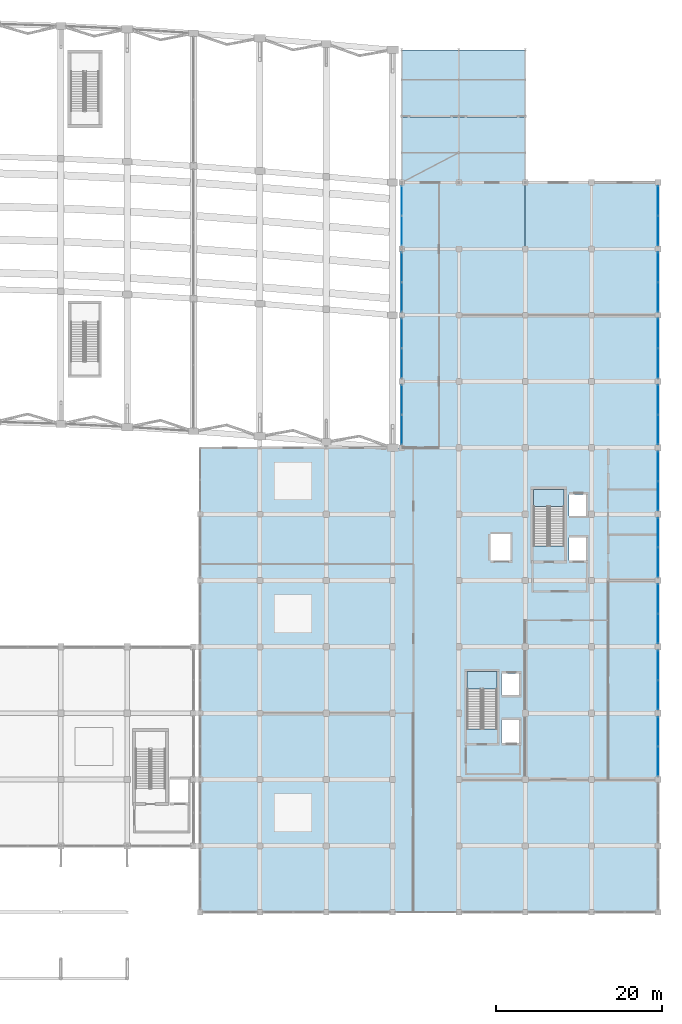
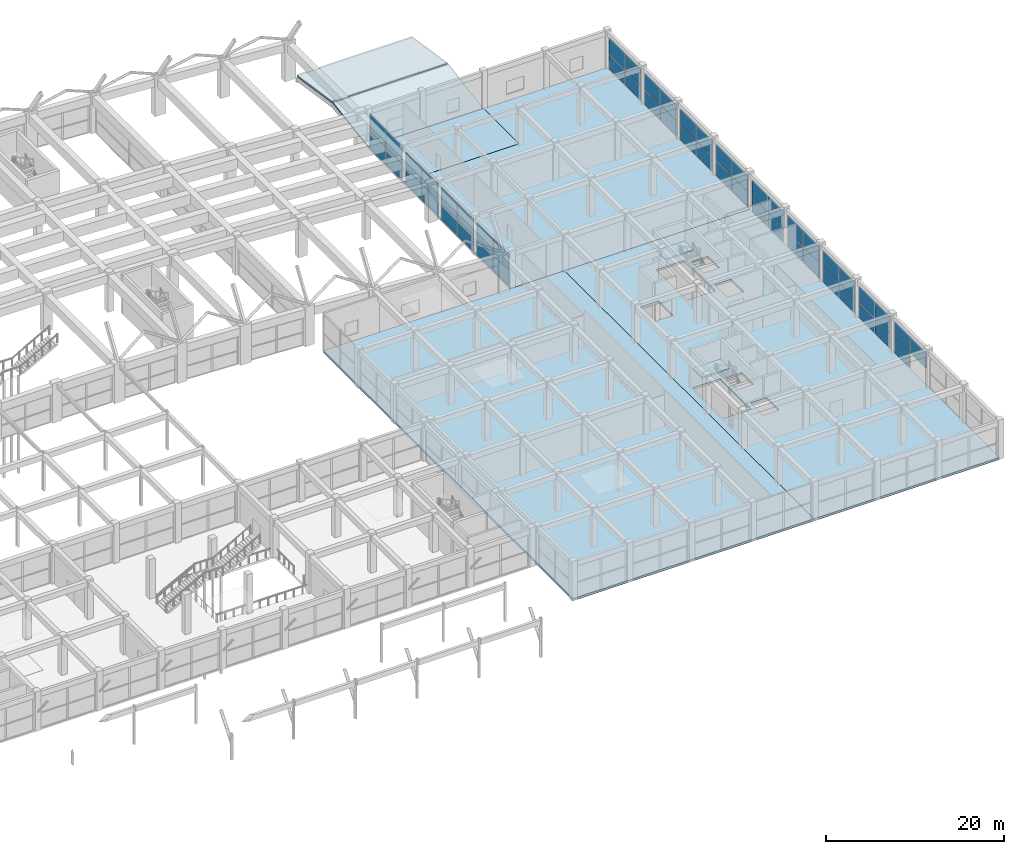
# One storey, part 46 of 69: 51 plates, 8 slabs, 15 elements without a shape of their own.
"""IFC4 building model written with IfcOpenShell, lengths in metres."""

from ifc_helpers import new_model, si_unit, direction, frame, origin, origin_2d, place, context, subcontext, project, spatial, polyline, rectangle, outline, extrude, material, layer, layer_set, type_object, element, aggregate, save


model = new_model("IFC4")

# Units and contexts
model_context = context("Model", 3, precision=1e-05, world=origin(), true_north=direction((0.0, 1.0)))
body_context = subcontext(model_context, "Body", "Model", "MODEL_VIEW")
ifc_project = project(units=[si_unit("LENGTHUNIT", "METRE"), si_unit("AREAUNIT", "SQUARE_METRE"), si_unit("VOLUMEUNIT", "CUBIC_METRE"), si_unit("PLANEANGLEUNIT", "RADIAN"), si_unit("MASSUNIT", "GRAM", prefix="KILO")], contexts=[model_context])

# Site, building, storey
site_placement = place(None, origin())
site = spatial("IfcSite", under=ifc_project, at=site_placement, CompositionType="ELEMENT")
building_placement = place(site_placement, origin())
building = spatial("IfcBuilding", under=site, at=building_placement, Name="Kenh Van Central Station", CompositionType="ELEMENT")
storey_placement = place(building_placement, frame((0.0, 0.0, 5.39990234375)))
storey = spatial("IfcBuildingStorey", under=building, at=storey_placement, Name="L01", CompositionType="ELEMENT", Elevation=5.39990234375)

# Curtain wall, plates
ifc_material_1 = material(Name="Champagne anodised aluminium", Category="aluminium")
curtain_wall_type_1 = type_object("IfcCurtainWallType", Name="CW-OPER-B", PredefinedType="NOTDEFINED", material=ifc_material_1)
curtain_wall_1_placement = place(storey_placement, origin())
curtain_wall_1 = element("IfcCurtainWall", 1, at=curtain_wall_1_placement, inside=storey, type_object=curtain_wall_type_1, Name="L01 curtain wall 148", PredefinedType="NOTDEFINED")
ifc_material_2 = material(Name="Double-glazed low-E laminated solar glass", Category="glass")
ifc_layer_1 = layer(ifc_material_2, 0.030029296875, Name="Double-glazed low-E laminated solar glass")
ifc_layer_set_1 = layer_set([ifc_layer_1], Name="Double-glazed low-E laminated solar glass")
plate_type_1 = type_object("IfcPlateType", Name="CWP-IGU-30", PredefinedType="CURTAIN_PANEL", material=ifc_layer_set_1)
plate_1_placement = place(storey_placement, frame((145.10009765625, 93.802978515625, 0.072021484375), z_axis=(0.0, 0.0, 1.0), x_axis=(0.0, -1.0, 0.0)))
plate_1 = element("IfcPlate", 2, at=plate_1_placement, type_object=plate_type_1, Name="CW-08 panel 1.1", PredefinedType="CURTAIN_PANEL", context=body_context, shape_type="SweptSolid", body=[
    extrude(rectangle(XDim=3.51806640625, YDim=0.030029296875, at=origin_2d()), origin(), (0.0, 0.0, 1.0), 2.1748046875),
])
plate_2_placement = place(storey_placement, frame((145.10009765625, 93.802978515625, 2.31884765625), z_axis=(0.0, 0.0, 1.0), x_axis=(0.0, -1.0, 0.0)))
plate_2 = element("IfcPlate", 3, at=plate_2_placement, type_object=plate_type_1, Name="CW-08 panel 1.2", PredefinedType="CURTAIN_PANEL", context=body_context, shape_type="SweptSolid", body=[
    extrude(rectangle(XDim=3.51806640625, YDim=0.030029296875, at=origin_2d()), origin(), (0.0, 0.0, 1.0), 2.364990234375),
])
plate_3_placement = place(storey_placement, frame((145.10009765625, 90.197021484375, 0.072021484375), z_axis=(0.0, 0.0, 1.0), x_axis=(0.0, -1.0, 0.0)))
plate_3 = element("IfcPlate", 4, at=plate_3_placement, type_object=plate_type_1, Name="CW-08 panel 2.1", PredefinedType="CURTAIN_PANEL", context=body_context, shape_type="SweptSolid", body=[
    extrude(rectangle(XDim=3.51806640625, YDim=0.030029296875, at=origin_2d()), origin(), (0.0, 0.0, 1.0), 2.1748046875),
])
plate_4_placement = place(storey_placement, frame((145.10009765625, 90.197021484375, 2.31884765625), z_axis=(0.0, 0.0, 1.0), x_axis=(0.0, -1.0, 0.0)))
plate_4 = element("IfcPlate", 5, at=plate_4_placement, type_object=plate_type_1, Name="CW-08 panel 2.2", PredefinedType="CURTAIN_PANEL", context=body_context, shape_type="SweptSolid", body=[
    extrude(rectangle(XDim=3.51806640625, YDim=0.030029296875, at=origin_2d()), origin(), (0.0, 0.0, 1.0), 2.364990234375),
])
aggregate(curtain_wall_1, [plate_1, plate_2, plate_3, plate_4])

curtain_wall_2_placement = place(storey_placement, origin())
curtain_wall_2 = element("IfcCurtainWall", 6, at=curtain_wall_2_placement, inside=storey, type_object=curtain_wall_type_1, Name="L01 curtain wall 149", PredefinedType="NOTDEFINED")
plate_5_placement = place(storey_placement, frame((145.10009765625, 85.802978515625, 0.072021484375), z_axis=(0.0, 0.0, 1.0), x_axis=(0.0, -1.0, 0.0)))
plate_5 = element("IfcPlate", 7, at=plate_5_placement, type_object=plate_type_1, Name="CW-08 panel 1.1", PredefinedType="CURTAIN_PANEL", context=body_context, shape_type="SweptSolid", body=[
    extrude(rectangle(XDim=3.51806640625, YDim=0.030029296875, at=origin_2d()), origin(), (0.0, 0.0, 1.0), 2.04248046875),
])
plate_6_placement = place(storey_placement, frame((145.10009765625, 85.802978515625, 2.1865234375), z_axis=(0.0, 0.0, 1.0), x_axis=(0.0, -1.0, 0.0)))
plate_6 = element("IfcPlate", 8, at=plate_6_placement, type_object=plate_type_1, Name="CW-08 panel 1.2", PredefinedType="CURTAIN_PANEL", context=body_context, shape_type="SweptSolid", body=[
    extrude(rectangle(XDim=3.51806640625, YDim=0.030029296875, at=origin_2d()), origin(), (0.0, 0.0, 1.0), 2.2216796875),
])
plate_7_placement = place(storey_placement, frame((145.10009765625, 82.197021484375, 0.072021484375), z_axis=(0.0, 0.0, 1.0), x_axis=(0.0, -1.0, 0.0)))
plate_7 = element("IfcPlate", 9, at=plate_7_placement, type_object=plate_type_1, Name="CW-08 panel 2.1", PredefinedType="CURTAIN_PANEL", context=body_context, shape_type="SweptSolid", body=[
    extrude(rectangle(XDim=3.51806640625, YDim=0.030029296875, at=origin_2d()), origin(), (0.0, 0.0, 1.0), 2.04248046875),
])
plate_8_placement = place(storey_placement, frame((145.10009765625, 82.197021484375, 2.1865234375), z_axis=(0.0, 0.0, 1.0), x_axis=(0.0, -1.0, 0.0)))
plate_8 = element("IfcPlate", 10, at=plate_8_placement, type_object=plate_type_1, Name="CW-08 panel 2.2", PredefinedType="CURTAIN_PANEL", context=body_context, shape_type="SweptSolid", body=[
    extrude(rectangle(XDim=3.51806640625, YDim=0.030029296875, at=origin_2d()), origin(), (0.0, 0.0, 1.0), 2.2216796875),
])
aggregate(curtain_wall_2, [plate_5, plate_6, plate_7, plate_8])

curtain_wall_3_placement = place(storey_placement, origin())
curtain_wall_3 = element("IfcCurtainWall", 11, at=curtain_wall_3_placement, inside=storey, type_object=curtain_wall_type_1, Name="L01 curtain wall 150", PredefinedType="NOTDEFINED")
plate_9_placement = place(storey_placement, frame((145.10009765625, 77.802978515625, 0.072021484375), z_axis=(0.0, 0.0, 1.0), x_axis=(0.0, -1.0, 0.0)))
plate_9 = element("IfcPlate", 12, at=plate_9_placement, type_object=plate_type_1, Name="CW-08 panel 1.1", PredefinedType="CURTAIN_PANEL", context=body_context, shape_type="SweptSolid", body=[
    extrude(rectangle(XDim=3.51806640625, YDim=0.030029296875, at=origin_2d()), origin(), (0.0, 0.0, 1.0), 2.04248046875),
])
plate_10_placement = place(storey_placement, frame((145.10009765625, 77.802978515625, 2.1865234375), z_axis=(0.0, 0.0, 1.0), x_axis=(0.0, -1.0, 0.0)))
plate_10 = element("IfcPlate", 13, at=plate_10_placement, type_object=plate_type_1, Name="CW-08 panel 1.2", PredefinedType="CURTAIN_PANEL", context=body_context, shape_type="SweptSolid", body=[
    extrude(rectangle(XDim=3.51806640625, YDim=0.030029296875, at=origin_2d()), origin(), (0.0, 0.0, 1.0), 2.2216796875),
])
plate_11_placement = place(storey_placement, frame((145.10009765625, 74.197021484375, 0.072021484375), z_axis=(0.0, 0.0, 1.0), x_axis=(0.0, -1.0, 0.0)))
plate_11 = element("IfcPlate", 14, at=plate_11_placement, type_object=plate_type_1, Name="CW-08 panel 2.1", PredefinedType="CURTAIN_PANEL", context=body_context, shape_type="SweptSolid", body=[
    extrude(rectangle(XDim=3.51806640625, YDim=0.030029296875, at=origin_2d()), origin(), (0.0, 0.0, 1.0), 2.04248046875),
])
plate_12_placement = place(storey_placement, frame((145.10009765625, 74.197021484375, 2.1865234375), z_axis=(0.0, 0.0, 1.0), x_axis=(0.0, -1.0, 0.0)))
plate_12 = element("IfcPlate", 15, at=plate_12_placement, type_object=plate_type_1, Name="CW-08 panel 2.2", PredefinedType="CURTAIN_PANEL", context=body_context, shape_type="SweptSolid", body=[
    extrude(rectangle(XDim=3.51806640625, YDim=0.030029296875, at=origin_2d()), origin(), (0.0, 0.0, 1.0), 2.2216796875),
])
aggregate(curtain_wall_3, [plate_9, plate_10, plate_11, plate_12])

curtain_wall_4_placement = place(storey_placement, origin())
curtain_wall_4 = element("IfcCurtainWall", 16, at=curtain_wall_4_placement, inside=storey, type_object=curtain_wall_type_1, Name="L01 curtain wall 151", PredefinedType="NOTDEFINED")
plate_13_placement = place(storey_placement, frame((145.10009765625, 69.802978515625, 0.072021484375), z_axis=(0.0, 0.0, 1.0), x_axis=(0.0, -1.0, 0.0)))
plate_13 = element("IfcPlate", 17, at=plate_13_placement, type_object=plate_type_1, Name="CW-08 panel 1.1", PredefinedType="CURTAIN_PANEL", context=body_context, shape_type="SweptSolid", body=[
    extrude(rectangle(XDim=3.51806640625, YDim=0.030029296875, at=origin_2d()), origin(), (0.0, 0.0, 1.0), 2.04248046875),
])
plate_14_placement = place(storey_placement, frame((145.10009765625, 69.802978515625, 2.1865234375), z_axis=(0.0, 0.0, 1.0), x_axis=(0.0, -1.0, 0.0)))
plate_14 = element("IfcPlate", 18, at=plate_14_placement, type_object=plate_type_1, Name="CW-08 panel 1.2", PredefinedType="CURTAIN_PANEL", context=body_context, shape_type="SweptSolid", body=[
    extrude(rectangle(XDim=3.51806640625, YDim=0.030029296875, at=origin_2d()), origin(), (0.0, 0.0, 1.0), 2.2216796875),
])
plate_15_placement = place(storey_placement, frame((145.10009765625, 66.197021484375, 0.072021484375), z_axis=(0.0, 0.0, 1.0), x_axis=(0.0, -1.0, 0.0)))
plate_15 = element("IfcPlate", 19, at=plate_15_placement, type_object=plate_type_1, Name="CW-08 panel 2.1", PredefinedType="CURTAIN_PANEL", context=body_context, shape_type="SweptSolid", body=[
    extrude(rectangle(XDim=3.51806640625, YDim=0.030029296875, at=origin_2d()), origin(), (0.0, 0.0, 1.0), 2.04248046875),
])
plate_16_placement = place(storey_placement, frame((145.10009765625, 66.197021484375, 2.1865234375), z_axis=(0.0, 0.0, 1.0), x_axis=(0.0, -1.0, 0.0)))
plate_16 = element("IfcPlate", 20, at=plate_16_placement, type_object=plate_type_1, Name="CW-08 panel 2.2", PredefinedType="CURTAIN_PANEL", context=body_context, shape_type="SweptSolid", body=[
    extrude(rectangle(XDim=3.51806640625, YDim=0.030029296875, at=origin_2d()), origin(), (0.0, 0.0, 1.0), 2.2216796875),
])
aggregate(curtain_wall_4, [plate_13, plate_14, plate_15, plate_16])

curtain_wall_type_2 = type_object("IfcCurtainWallType", Name="CW-OPER-A", PredefinedType="NOTDEFINED", material=ifc_material_1)
curtain_wall_5_placement = place(storey_placement, origin())
curtain_wall_5 = element("IfcCurtainWall", 21, at=curtain_wall_5_placement, inside=storey, type_object=curtain_wall_type_2, Name="L01 curtain wall 139", PredefinedType="NOTDEFINED")
ifc_layer_2 = layer(ifc_material_2, 0.0380859375, Name="Double-glazed low-E laminated solar glass")
ifc_layer_set_2 = layer_set([ifc_layer_2], Name="Double-glazed low-E laminated solar glass")
plate_type_2 = type_object("IfcPlateType", Name="CWP-IGU-38", PredefinedType="CURTAIN_PANEL", material=ifc_layer_set_2)
plate_17_placement = place(storey_placement, frame((176.0, 26.20947265625, 2.167236328125), z_axis=(0.0, 0.0, 1.0), x_axis=(0.0, 1.0, 0.0)))
plate_17 = element("IfcPlate", 22, at=plate_17_placement, type_object=plate_type_2, Name="CW-07 panel 1.2", PredefinedType="CURTAIN_PANEL", context=body_context, shape_type="SweptSolid", body=[
    extrude(rectangle(XDim=3.492919921875, YDim=0.0380859375, at=origin_2d()), origin(), (0.0, 0.0, 1.0), 2.20068359375),
])
plate_18_placement = place(storey_placement, frame((176.0, 29.79052734375, 0.072265625), z_axis=(0.0, 0.0, 1.0), x_axis=(0.0, 1.0, 0.0)))
plate_18 = element("IfcPlate", 23, at=plate_18_placement, type_object=plate_type_2, Name="CW-07 panel 2.1", PredefinedType="CURTAIN_PANEL", context=body_context, shape_type="SweptSolid", body=[
    extrude(rectangle(XDim=3.492919921875, YDim=0.0380859375, at=origin_2d()), origin(), (0.0, 0.0, 1.0), 2.023193359375),
])
plate_19_placement = place(storey_placement, frame((176.0, 29.79052734375, 2.167236328125), z_axis=(0.0, 0.0, 1.0), x_axis=(0.0, 1.0, 0.0)))
plate_19 = element("IfcPlate", 24, at=plate_19_placement, type_object=plate_type_2, Name="CW-07 panel 2.2", PredefinedType="CURTAIN_PANEL", context=body_context, shape_type="SweptSolid", body=[
    extrude(rectangle(XDim=3.492919921875, YDim=0.0380859375, at=origin_2d()), origin(), (0.0, 0.0, 1.0), 2.20068359375),
])
aggregate(curtain_wall_5, [plate_17, plate_18, plate_19])

curtain_wall_6_placement = place(storey_placement, origin())
curtain_wall_6 = element("IfcCurtainWall", 25, at=curtain_wall_6_placement, inside=storey, type_object=curtain_wall_type_2, Name="L01 curtain wall 140", PredefinedType="NOTDEFINED")
plate_20_placement = place(storey_placement, frame((176.0, 34.20947265625, 0.072265625), z_axis=(0.0, 0.0, 1.0), x_axis=(0.0, 1.0, 0.0)))
plate_20 = element("IfcPlate", 26, at=plate_20_placement, type_object=plate_type_2, Name="CW-07 panel 1.1", PredefinedType="CURTAIN_PANEL", context=body_context, shape_type="SweptSolid", body=[
    extrude(rectangle(XDim=3.492919921875, YDim=0.0380859375, at=origin_2d()), origin(), (0.0, 0.0, 1.0), 2.023193359375),
])
plate_21_placement = place(storey_placement, frame((176.0, 34.20947265625, 2.167236328125), z_axis=(0.0, 0.0, 1.0), x_axis=(0.0, 1.0, 0.0)))
plate_21 = element("IfcPlate", 27, at=plate_21_placement, type_object=plate_type_2, Name="CW-07 panel 1.2", PredefinedType="CURTAIN_PANEL", context=body_context, shape_type="SweptSolid", body=[
    extrude(rectangle(XDim=3.492919921875, YDim=0.0380859375, at=origin_2d()), origin(), (0.0, 0.0, 1.0), 2.20068359375),
])
plate_22_placement = place(storey_placement, frame((176.0, 37.79052734375, 0.072265625), z_axis=(0.0, 0.0, 1.0), x_axis=(0.0, 1.0, 0.0)))
plate_22 = element("IfcPlate", 28, at=plate_22_placement, type_object=plate_type_2, Name="CW-07 panel 2.1", PredefinedType="CURTAIN_PANEL", context=body_context, shape_type="SweptSolid", body=[
    extrude(rectangle(XDim=3.492919921875, YDim=0.0380859375, at=origin_2d()), origin(), (0.0, 0.0, 1.0), 2.023193359375),
])
plate_23_placement = place(storey_placement, frame((176.0, 37.79052734375, 2.167236328125), z_axis=(0.0, 0.0, 1.0), x_axis=(0.0, 1.0, 0.0)))
plate_23 = element("IfcPlate", 29, at=plate_23_placement, type_object=plate_type_2, Name="CW-07 panel 2.2", PredefinedType="CURTAIN_PANEL", context=body_context, shape_type="SweptSolid", body=[
    extrude(rectangle(XDim=3.492919921875, YDim=0.0380859375, at=origin_2d()), origin(), (0.0, 0.0, 1.0), 2.20068359375),
])
aggregate(curtain_wall_6, [plate_20, plate_21, plate_22, plate_23])

curtain_wall_7_placement = place(storey_placement, origin())
curtain_wall_7 = element("IfcCurtainWall", 30, at=curtain_wall_7_placement, inside=storey, type_object=curtain_wall_type_2, Name="L01 curtain wall 141", PredefinedType="NOTDEFINED")
plate_24_placement = place(storey_placement, frame((176.0, 42.20947265625, 0.072265625), z_axis=(0.0, 0.0, 1.0), x_axis=(0.0, 1.0, 0.0)))
plate_24 = element("IfcPlate", 31, at=plate_24_placement, type_object=plate_type_2, Name="CW-07 panel 1.1", PredefinedType="CURTAIN_PANEL", context=body_context, shape_type="SweptSolid", body=[
    extrude(rectangle(XDim=3.492919921875, YDim=0.0380859375, at=origin_2d()), origin(), (0.0, 0.0, 1.0), 2.023193359375),
])
plate_25_placement = place(storey_placement, frame((176.0, 42.20947265625, 2.167236328125), z_axis=(0.0, 0.0, 1.0), x_axis=(0.0, 1.0, 0.0)))
plate_25 = element("IfcPlate", 32, at=plate_25_placement, type_object=plate_type_2, Name="CW-07 panel 1.2", PredefinedType="CURTAIN_PANEL", context=body_context, shape_type="SweptSolid", body=[
    extrude(rectangle(XDim=3.492919921875, YDim=0.0380859375, at=origin_2d()), origin(), (0.0, 0.0, 1.0), 2.20068359375),
])
plate_26_placement = place(storey_placement, frame((176.0, 45.79052734375, 0.072265625), z_axis=(0.0, 0.0, 1.0), x_axis=(0.0, 1.0, 0.0)))
plate_26 = element("IfcPlate", 33, at=plate_26_placement, type_object=plate_type_2, Name="CW-07 panel 2.1", PredefinedType="CURTAIN_PANEL", context=body_context, shape_type="SweptSolid", body=[
    extrude(rectangle(XDim=3.492919921875, YDim=0.0380859375, at=origin_2d()), origin(), (0.0, 0.0, 1.0), 2.023193359375),
])
plate_27_placement = place(storey_placement, frame((176.0, 45.79052734375, 2.167236328125), z_axis=(0.0, 0.0, 1.0), x_axis=(0.0, 1.0, 0.0)))
plate_27 = element("IfcPlate", 34, at=plate_27_placement, type_object=plate_type_2, Name="CW-07 panel 2.2", PredefinedType="CURTAIN_PANEL", context=body_context, shape_type="SweptSolid", body=[
    extrude(rectangle(XDim=3.492919921875, YDim=0.0380859375, at=origin_2d()), origin(), (0.0, 0.0, 1.0), 2.20068359375),
])
aggregate(curtain_wall_7, [plate_24, plate_25, plate_26, plate_27])

curtain_wall_8_placement = place(storey_placement, origin())
curtain_wall_8 = element("IfcCurtainWall", 35, at=curtain_wall_8_placement, inside=storey, type_object=curtain_wall_type_2, Name="L01 curtain wall 142", PredefinedType="NOTDEFINED")
plate_28_placement = place(storey_placement, frame((176.0, 50.20947265625, 0.072265625), z_axis=(0.0, 0.0, 1.0), x_axis=(0.0, 1.0, 0.0)))
plate_28 = element("IfcPlate", 36, at=plate_28_placement, type_object=plate_type_2, Name="CW-07 panel 1.1", PredefinedType="CURTAIN_PANEL", context=body_context, shape_type="SweptSolid", body=[
    extrude(rectangle(XDim=3.492919921875, YDim=0.0380859375, at=origin_2d()), origin(), (0.0, 0.0, 1.0), 2.023193359375),
])
plate_29_placement = place(storey_placement, frame((176.0, 50.20947265625, 2.167236328125), z_axis=(0.0, 0.0, 1.0), x_axis=(0.0, 1.0, 0.0)))
plate_29 = element("IfcPlate", 37, at=plate_29_placement, type_object=plate_type_2, Name="CW-07 panel 1.2", PredefinedType="CURTAIN_PANEL", context=body_context, shape_type="SweptSolid", body=[
    extrude(rectangle(XDim=3.492919921875, YDim=0.0380859375, at=origin_2d()), origin(), (0.0, 0.0, 1.0), 2.20068359375),
])
plate_30_placement = place(storey_placement, frame((176.0, 53.79052734375, 0.072265625), z_axis=(0.0, 0.0, 1.0), x_axis=(0.0, 1.0, 0.0)))
plate_30 = element("IfcPlate", 38, at=plate_30_placement, type_object=plate_type_2, Name="CW-07 panel 2.1", PredefinedType="CURTAIN_PANEL", context=body_context, shape_type="SweptSolid", body=[
    extrude(rectangle(XDim=3.492919921875, YDim=0.0380859375, at=origin_2d()), origin(), (0.0, 0.0, 1.0), 2.023193359375),
])
plate_31_placement = place(storey_placement, frame((176.0, 53.79052734375, 2.167236328125), z_axis=(0.0, 0.0, 1.0), x_axis=(0.0, 1.0, 0.0)))
plate_31 = element("IfcPlate", 39, at=plate_31_placement, type_object=plate_type_2, Name="CW-07 panel 2.2", PredefinedType="CURTAIN_PANEL", context=body_context, shape_type="SweptSolid", body=[
    extrude(rectangle(XDim=3.492919921875, YDim=0.0380859375, at=origin_2d()), origin(), (0.0, 0.0, 1.0), 2.20068359375),
])
aggregate(curtain_wall_8, [plate_28, plate_29, plate_30, plate_31])

curtain_wall_9_placement = place(storey_placement, origin())
curtain_wall_9 = element("IfcCurtainWall", 40, at=curtain_wall_9_placement, inside=storey, type_object=curtain_wall_type_2, Name="L01 curtain wall 143", PredefinedType="NOTDEFINED")
plate_32_placement = place(storey_placement, frame((176.0, 58.20947265625, 0.072265625), z_axis=(0.0, 0.0, 1.0), x_axis=(0.0, 1.0, 0.0)))
plate_32 = element("IfcPlate", 41, at=plate_32_placement, type_object=plate_type_2, Name="CW-07 panel 1.1", PredefinedType="CURTAIN_PANEL", context=body_context, shape_type="SweptSolid", body=[
    extrude(rectangle(XDim=3.492919921875, YDim=0.0380859375, at=origin_2d()), origin(), (0.0, 0.0, 1.0), 2.023193359375),
])
plate_33_placement = place(storey_placement, frame((176.0, 58.20947265625, 2.167236328125), z_axis=(0.0, 0.0, 1.0), x_axis=(0.0, 1.0, 0.0)))
plate_33 = element("IfcPlate", 42, at=plate_33_placement, type_object=plate_type_2, Name="CW-07 panel 1.2", PredefinedType="CURTAIN_PANEL", context=body_context, shape_type="SweptSolid", body=[
    extrude(rectangle(XDim=3.492919921875, YDim=0.0380859375, at=origin_2d()), origin(), (0.0, 0.0, 1.0), 2.20068359375),
])
plate_34_placement = place(storey_placement, frame((176.0, 61.79052734375, 0.072265625), z_axis=(0.0, 0.0, 1.0), x_axis=(0.0, 1.0, 0.0)))
plate_34 = element("IfcPlate", 43, at=plate_34_placement, type_object=plate_type_2, Name="CW-07 panel 2.1", PredefinedType="CURTAIN_PANEL", context=body_context, shape_type="SweptSolid", body=[
    extrude(rectangle(XDim=3.492919921875, YDim=0.0380859375, at=origin_2d()), origin(), (0.0, 0.0, 1.0), 2.023193359375),
])
plate_35_placement = place(storey_placement, frame((176.0, 61.79052734375, 2.167236328125), z_axis=(0.0, 0.0, 1.0), x_axis=(0.0, 1.0, 0.0)))
plate_35 = element("IfcPlate", 44, at=plate_35_placement, type_object=plate_type_2, Name="CW-07 panel 2.2", PredefinedType="CURTAIN_PANEL", context=body_context, shape_type="SweptSolid", body=[
    extrude(rectangle(XDim=3.492919921875, YDim=0.0380859375, at=origin_2d()), origin(), (0.0, 0.0, 1.0), 2.20068359375),
])
aggregate(curtain_wall_9, [plate_32, plate_33, plate_34, plate_35])

curtain_wall_10_placement = place(storey_placement, origin())
curtain_wall_10 = element("IfcCurtainWall", 45, at=curtain_wall_10_placement, inside=storey, type_object=curtain_wall_type_2, Name="L01 curtain wall 144", PredefinedType="NOTDEFINED")
plate_36_placement = place(storey_placement, frame((176.0, 66.2158203125, 0.072265625), z_axis=(0.0, 0.0, 1.0), x_axis=(0.0, 1.0, 0.0)))
plate_36 = element("IfcPlate", 46, at=plate_36_placement, type_object=plate_type_2, Name="CW-07 panel 1.1", PredefinedType="CURTAIN_PANEL", context=body_context, shape_type="SweptSolid", body=[
    extrude(rectangle(XDim=3.505615234375, YDim=0.0380859375, at=origin_2d()), origin(), (0.0, 0.0, 1.0), 2.023193359375),
])
plate_37_placement = place(storey_placement, frame((176.0, 66.2158203125, 2.167236328125), z_axis=(0.0, 0.0, 1.0), x_axis=(0.0, 1.0, 0.0)))
plate_37 = element("IfcPlate", 47, at=plate_37_placement, type_object=plate_type_2, Name="CW-07 panel 1.2", PredefinedType="CURTAIN_PANEL", context=body_context, shape_type="SweptSolid", body=[
    extrude(rectangle(XDim=3.505615234375, YDim=0.0380859375, at=origin_2d()), origin(), (0.0, 0.0, 1.0), 2.20068359375),
])
plate_38_placement = place(storey_placement, frame((176.0, 69.809326171875, 0.072265625), z_axis=(0.0, 0.0, 1.0), x_axis=(0.0, 1.0, 0.0)))
plate_38 = element("IfcPlate", 48, at=plate_38_placement, type_object=plate_type_2, Name="CW-07 panel 2.1", PredefinedType="CURTAIN_PANEL", context=body_context, shape_type="SweptSolid", body=[
    extrude(rectangle(XDim=3.505615234375, YDim=0.0380859375, at=origin_2d()), origin(), (0.0, 0.0, 1.0), 2.023193359375),
])
plate_39_placement = place(storey_placement, frame((176.0, 69.809326171875, 2.167236328125), z_axis=(0.0, 0.0, 1.0), x_axis=(0.0, 1.0, 0.0)))
plate_39 = element("IfcPlate", 49, at=plate_39_placement, type_object=plate_type_2, Name="CW-07 panel 2.2", PredefinedType="CURTAIN_PANEL", context=body_context, shape_type="SweptSolid", body=[
    extrude(rectangle(XDim=3.505615234375, YDim=0.0380859375, at=origin_2d()), origin(), (0.0, 0.0, 1.0), 2.20068359375),
])
aggregate(curtain_wall_10, [plate_36, plate_37, plate_38, plate_39])

curtain_wall_11_placement = place(storey_placement, origin())
curtain_wall_11 = element("IfcCurtainWall", 50, at=curtain_wall_11_placement, inside=storey, type_object=curtain_wall_type_2, Name="L01 curtain wall 145", PredefinedType="NOTDEFINED")
plate_40_placement = place(storey_placement, frame((176.0, 74.197021484375, 0.072265625), z_axis=(0.0, 0.0, 1.0), x_axis=(0.0, 1.0, 0.0)))
plate_40 = element("IfcPlate", 51, at=plate_40_placement, type_object=plate_type_2, Name="CW-07 panel 1.1", PredefinedType="CURTAIN_PANEL", context=body_context, shape_type="SweptSolid", body=[
    extrude(rectangle(XDim=3.51806640625, YDim=0.0380859375, at=origin_2d()), origin(), (0.0, 0.0, 1.0), 2.023193359375),
])
plate_41_placement = place(storey_placement, frame((176.0, 74.197021484375, 2.167236328125), z_axis=(0.0, 0.0, 1.0), x_axis=(0.0, 1.0, 0.0)))
plate_41 = element("IfcPlate", 52, at=plate_41_placement, type_object=plate_type_2, Name="CW-07 panel 1.2", PredefinedType="CURTAIN_PANEL", context=body_context, shape_type="SweptSolid", body=[
    extrude(rectangle(XDim=3.51806640625, YDim=0.0380859375, at=origin_2d()), origin(), (0.0, 0.0, 1.0), 2.20068359375),
])
plate_42_placement = place(storey_placement, frame((176.0, 77.802978515625, 0.072265625), z_axis=(0.0, 0.0, 1.0), x_axis=(0.0, 1.0, 0.0)))
plate_42 = element("IfcPlate", 53, at=plate_42_placement, type_object=plate_type_2, Name="CW-07 panel 2.1", PredefinedType="CURTAIN_PANEL", context=body_context, shape_type="SweptSolid", body=[
    extrude(rectangle(XDim=3.51806640625, YDim=0.0380859375, at=origin_2d()), origin(), (0.0, 0.0, 1.0), 2.023193359375),
])
plate_43_placement = place(storey_placement, frame((176.0, 77.802978515625, 2.167236328125), z_axis=(0.0, 0.0, 1.0), x_axis=(0.0, 1.0, 0.0)))
plate_43 = element("IfcPlate", 54, at=plate_43_placement, type_object=plate_type_2, Name="CW-07 panel 2.2", PredefinedType="CURTAIN_PANEL", context=body_context, shape_type="SweptSolid", body=[
    extrude(rectangle(XDim=3.51806640625, YDim=0.0380859375, at=origin_2d()), origin(), (0.0, 0.0, 1.0), 2.20068359375),
])
aggregate(curtain_wall_11, [plate_40, plate_41, plate_42, plate_43])

curtain_wall_12_placement = place(storey_placement, origin())
curtain_wall_12 = element("IfcCurtainWall", 55, at=curtain_wall_12_placement, inside=storey, type_object=curtain_wall_type_2, Name="L01 curtain wall 146", PredefinedType="NOTDEFINED")
plate_44_placement = place(storey_placement, frame((176.0, 82.197021484375, 0.072265625), z_axis=(0.0, 0.0, 1.0), x_axis=(0.0, 1.0, 0.0)))
plate_44 = element("IfcPlate", 56, at=plate_44_placement, type_object=plate_type_2, Name="CW-07 panel 1.1", PredefinedType="CURTAIN_PANEL", context=body_context, shape_type="SweptSolid", body=[
    extrude(rectangle(XDim=3.51806640625, YDim=0.0380859375, at=origin_2d()), origin(), (0.0, 0.0, 1.0), 2.023193359375),
])
plate_45_placement = place(storey_placement, frame((176.0, 82.197021484375, 2.167236328125), z_axis=(0.0, 0.0, 1.0), x_axis=(0.0, 1.0, 0.0)))
plate_45 = element("IfcPlate", 57, at=plate_45_placement, type_object=plate_type_2, Name="CW-07 panel 1.2", PredefinedType="CURTAIN_PANEL", context=body_context, shape_type="SweptSolid", body=[
    extrude(rectangle(XDim=3.51806640625, YDim=0.0380859375, at=origin_2d()), origin(), (0.0, 0.0, 1.0), 2.20068359375),
])
plate_46_placement = place(storey_placement, frame((176.0, 85.802978515625, 0.072265625), z_axis=(0.0, 0.0, 1.0), x_axis=(0.0, 1.0, 0.0)))
plate_46 = element("IfcPlate", 58, at=plate_46_placement, type_object=plate_type_2, Name="CW-07 panel 2.1", PredefinedType="CURTAIN_PANEL", context=body_context, shape_type="SweptSolid", body=[
    extrude(rectangle(XDim=3.51806640625, YDim=0.0380859375, at=origin_2d()), origin(), (0.0, 0.0, 1.0), 2.023193359375),
])
plate_47_placement = place(storey_placement, frame((176.0, 85.802978515625, 2.167236328125), z_axis=(0.0, 0.0, 1.0), x_axis=(0.0, 1.0, 0.0)))
plate_47 = element("IfcPlate", 59, at=plate_47_placement, type_object=plate_type_2, Name="CW-07 panel 2.2", PredefinedType="CURTAIN_PANEL", context=body_context, shape_type="SweptSolid", body=[
    extrude(rectangle(XDim=3.51806640625, YDim=0.0380859375, at=origin_2d()), origin(), (0.0, 0.0, 1.0), 2.20068359375),
])
aggregate(curtain_wall_12, [plate_44, plate_45, plate_46, plate_47])

curtain_wall_13_placement = place(storey_placement, origin())
curtain_wall_13 = element("IfcCurtainWall", 60, at=curtain_wall_13_placement, inside=storey, type_object=curtain_wall_type_2, Name="L01 curtain wall 147", PredefinedType="NOTDEFINED")
plate_48_placement = place(storey_placement, frame((176.0, 90.197021484375, 0.072021484375), z_axis=(0.0, 0.0, 1.0), x_axis=(0.0, 1.0, 0.0)))
plate_48 = element("IfcPlate", 61, at=plate_48_placement, type_object=plate_type_2, Name="CW-07 panel 1.1", PredefinedType="CURTAIN_PANEL", context=body_context, shape_type="SweptSolid", body=[
    extrude(rectangle(XDim=3.51806640625, YDim=0.0380859375, at=origin_2d()), origin(), (0.0, 0.0, 1.0), 2.04248046875),
])
plate_49_placement = place(storey_placement, frame((176.0, 90.197021484375, 2.1865234375), z_axis=(0.0, 0.0, 1.0), x_axis=(0.0, 1.0, 0.0)))
plate_49 = element("IfcPlate", 62, at=plate_49_placement, type_object=plate_type_2, Name="CW-07 panel 1.2", PredefinedType="CURTAIN_PANEL", context=body_context, shape_type="SweptSolid", body=[
    extrude(rectangle(XDim=3.51806640625, YDim=0.0380859375, at=origin_2d()), origin(), (0.0, 0.0, 1.0), 2.2216796875),
])
plate_50_placement = place(storey_placement, frame((176.0, 93.802978515625, 0.072021484375), z_axis=(0.0, 0.0, 1.0), x_axis=(0.0, 1.0, 0.0)))
plate_50 = element("IfcPlate", 63, at=plate_50_placement, type_object=plate_type_2, Name="CW-07 panel 2.1", PredefinedType="CURTAIN_PANEL", context=body_context, shape_type="SweptSolid", body=[
    extrude(rectangle(XDim=3.51806640625, YDim=0.0380859375, at=origin_2d()), origin(), (0.0, 0.0, 1.0), 2.04248046875),
])
plate_51_placement = place(storey_placement, frame((176.0, 93.802978515625, 2.1865234375), z_axis=(0.0, 0.0, 1.0), x_axis=(0.0, 1.0, 0.0)))
plate_51 = element("IfcPlate", 64, at=plate_51_placement, type_object=plate_type_2, Name="CW-07 panel 2.2", PredefinedType="CURTAIN_PANEL", context=body_context, shape_type="SweptSolid", body=[
    extrude(rectangle(XDim=3.51806640625, YDim=0.0380859375, at=origin_2d()), origin(), (0.0, 0.0, 1.0), 2.2216796875),
])
aggregate(curtain_wall_13, [plate_48, plate_49, plate_50, plate_51])

# Slabs
ifc_material_3 = material(Name="Concrete C35/45", Category="concrete")
ifc_layer_3 = layer(ifc_material_3, 0.280029296875, Name="Concrete C35/45")
ifc_layer_set_3 = layer_set([ifc_layer_3], Name="Concrete C35/45")
slab_type_1 = type_object("IfcSlabType", Name="SLB-FLR-280", PredefinedType="FLOOR", material=ifc_layer_set_3)
slab_1_placement = place(storey_placement, frame((0.0, 0.0, -0.27978515625)))
element("IfcSlab", 65, at=slab_1_placement, inside=storey, type_object=slab_type_1, Name="L01 slab SLB-L01-EA", PredefinedType="FLOOR", context=body_context, shape_type="SweptSolid", body=[
    extrude(outline(polyline([(120.800048828125, 8.0), (152.0, 8.0), (152.0, 64.0), (120.800048828125, 64.0), (120.800048828125, 8.0)])), origin(), (0.0, 0.0, 1.0), 0.27978515625),
])
slab_2_placement = place(storey_placement, frame((0.0, 0.0, -0.27978515625)))
element("IfcSlab", 66, at=slab_2_placement, inside=storey, type_object=slab_type_1, Name="L01 slab SLB-L01-EB", PredefinedType="FLOOR", context=body_context, shape_type="SweptSolid", body=[
    extrude(outline(polyline([(152.0, 8.0), (176.0, 8.0), (176.0, 64.0), (152.0, 64.0), (152.0, 8.0)]), holes=[polyline([(167.35009765625, 50.39990234375), (165.25, 50.39990234375), (165.25, 53.199951171875), (167.35009765625, 53.199951171875), (167.35009765625, 50.39990234375)]), polyline([(167.35009765625, 55.800048828125), (165.25, 55.800048828125), (165.25, 58.39990234375), (167.35009765625, 58.39990234375), (167.35009765625, 55.800048828125)]), polyline([(164.699951171875, 52.1650390625), (161.0, 52.1650390625), (161.0, 59.0), (164.699951171875, 59.0), (164.699951171875, 52.1650390625)]), polyline([(159.25, 28.39990234375), (157.14990234375, 28.39990234375), (157.14990234375, 31.199951171875), (159.25, 31.199951171875), (159.25, 28.39990234375)]), polyline([(159.25, 34.199951171875), (157.14990234375, 34.199951171875), (157.14990234375, 36.800048828125), (159.25, 36.800048828125), (159.25, 34.199951171875)]), polyline([(158.199951171875, 50.39990234375), (155.800048828125, 50.39990234375), (155.800048828125, 53.60009765625), (158.199951171875, 53.60009765625), (158.199951171875, 50.39990234375)]), polyline([(156.60009765625, 30.114990234375), (153.0, 30.114990234375), (153.0, 37.0), (156.60009765625, 37.0), (156.60009765625, 30.114990234375)])]), origin(), (0.0, 0.0, 1.0), 0.27978515625),
])
slab_3_placement = place(storey_placement, frame((0.0, 0.0, -0.27978515625)))
element("IfcSlab", 67, at=slab_3_placement, inside=storey, type_object=slab_type_1, Name="L01 slab SLB-L01-EC", PredefinedType="FLOOR", context=body_context, shape_type="SweptSolid", body=[
    extrude(outline(polyline([(145.10009765625, 64.0), (176.0, 64.0), (176.0, 96.0), (160.0, 96.0), (160.0, 88.0), (145.10009765625, 88.0), (145.10009765625, 64.0)])), origin(), (0.0, 0.0, 1.0), 0.27978515625),
])
slab_4_placement = place(storey_placement, frame((0.0, 0.0, -0.27978515625)))
element("IfcSlab", 68, at=slab_4_placement, inside=storey, type_object=slab_type_1, Name="L01 slab SLB-L01-ED", PredefinedType="FLOOR", context=body_context, shape_type="SweptSolid", body=[
    extrude(outline(polyline([(145.10009765625, 88.0), (160.0, 88.0), (160.0, 96.0), (145.10009765625, 96.0), (145.10009765625, 88.0)])), origin(), (0.0, 0.0, 1.0), 0.27978515625),
])

# Stair, slab
stair_type_1 = type_object("IfcStairType", Name="STR-DLG-1700", PredefinedType="HALF_TURN_STAIR", material=ifc_material_3)
stair_1_placement = place(storey_placement, origin())
stair_1 = element("IfcStair", 69, at=stair_1_placement, inside=storey, type_object=stair_type_1, Name="L01 Operations South Firefighting Core", PredefinedType="HALF_TURN_STAIR")
ifc_layer_4 = layer(ifc_material_3, 0.199951171875, Name="Concrete C35/45")
ifc_layer_set_4 = layer_set([ifc_layer_4], Name="Concrete C35/45")
slab_type_2 = type_object("IfcSlabType", Name="SLB-LAND-200", PredefinedType="LANDING", material=ifc_layer_set_4)
slab_5_placement = place(storey_placement, frame((0.0, 0.0, 2.5)))
slab_5 = element("IfcSlab", 70, at=slab_5_placement, type_object=slab_type_2, Name="ST-09 landing 1", PredefinedType="LANDING", context=body_context, shape_type="SweptSolid", body=[
    extrude(outline(polyline([(156.60009765625, 34.89990234375), (156.60009765625, 37.0), (153.0, 37.0), (153.0, 34.89990234375), (156.60009765625, 34.89990234375)])), origin(), (0.0, 0.0, 1.0), 0.2001953125),
])
aggregate(stair_1, [slab_5])

stair_type_2 = type_object("IfcStairType", Name="STR-DLG-1750", PredefinedType="HALF_TURN_STAIR", material=ifc_material_3)
stair_2_placement = place(storey_placement, origin())
stair_2 = element("IfcStair", 71, at=stair_2_placement, inside=storey, type_object=stair_type_2, Name="L01 Operations North Firefighting and Goods Core", PredefinedType="HALF_TURN_STAIR")
slab_6_placement = place(storey_placement, frame((0.0, 0.0, 2.5)))
slab_6 = element("IfcSlab", 72, at=slab_6_placement, type_object=slab_type_2, Name="ST-10 landing 1", PredefinedType="LANDING", context=body_context, shape_type="SweptSolid", body=[
    extrude(outline(polyline([(164.699951171875, 56.949951171875), (164.699951171875, 59.0), (161.0, 59.0), (161.0, 56.949951171875), (164.699951171875, 56.949951171875)])), origin(), (0.0, 0.0, 1.0), 0.2001953125),
])
aggregate(stair_2, [slab_6])

# Slabs
ifc_layer_5 = layer(ifc_material_3, 0.18994140625, Name="Concrete C35/45")
ifc_layer_set_5 = layer_set([ifc_layer_5], Name="Concrete C35/45")
slab_type_3 = type_object("IfcSlabType", Name="SLB-ROOF-190", PredefinedType="ROOF", material=ifc_layer_set_5)
for number, where, z_axis, x_axis, name in (
    (73, (145.10009765625, 96.0, 0.0), (0.0, -0.150201797023, 0.988655359653), (1.0, 0.0, 0.0), "L01 sloped roof RF-OPS1-A"),
    (74, (145.10009765625, 104.10009765625, 1.2001953125), (0.0, 0.150201797023, 0.988655359653), (1.0, 0.0, 0.0), "L01 sloped roof RF-OPS1-B"),
):
    element("IfcSlab", number, at=place(storey_placement, frame(where, z_axis=z_axis, x_axis=x_axis)), inside=storey, type_object=slab_type_3, Name=name, PredefinedType="ROOF", context=body_context, shape_type="SweptSolid", body=[
        extrude(outline(polyline([(0.0, 0.0), (14.89990234375, 0.0), (14.89990234375, 7.990552285601647), (0.0, 7.990552285601647), (0.0, 0.0)])), origin(), (0.0, 0.0, -1.0), 0.18994140625),
    ])

save(model, "model.ifc")
